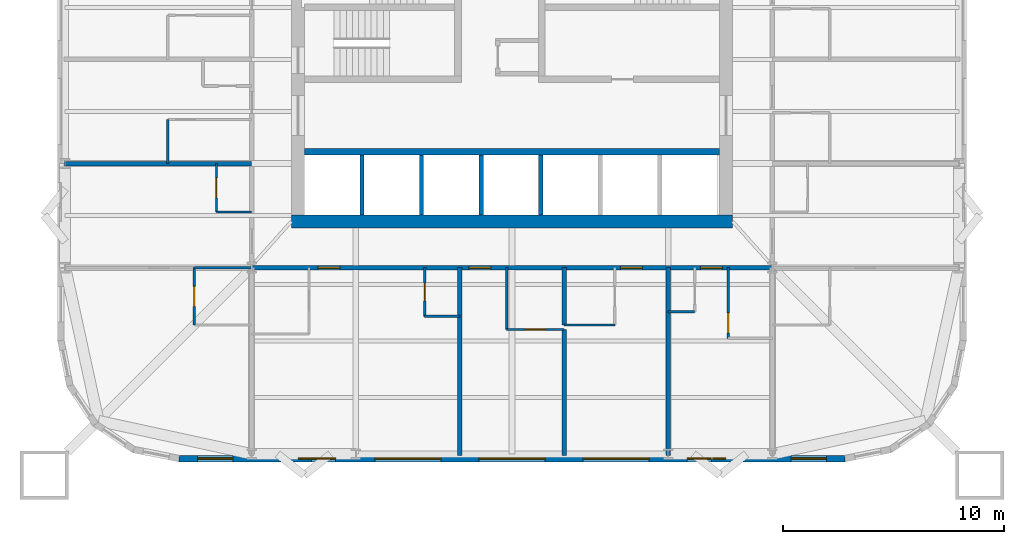
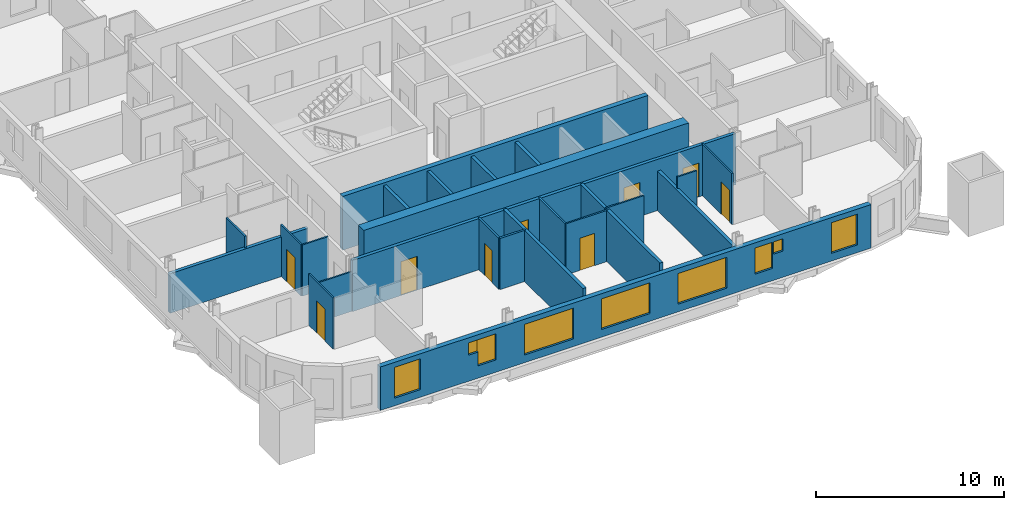
# One storey, part 3 of 10: 25 walls, 9 doors, 9 windows, 18 openings.
"""IFC4 building model written with IfcOpenShell, lengths in metres."""

from ifc_helpers import new_model, si_unit, direction, frame, frame_2d, origin, place, context, subcontext, project, spatial, rectangle, extrude, material, layer, layer_set, type_object, element, fill, save


model = new_model("IFC4")

# Units and contexts
model_context = context("Model", 3, precision=1e-05, world=origin(), true_north=direction((0.0, 1.0)))
body_context = subcontext(model_context, "Body", "Model", "MODEL_VIEW")
ifc_project = project(units=[si_unit("LENGTHUNIT", "METRE"), si_unit("AREAUNIT", "SQUARE_METRE"), si_unit("VOLUMEUNIT", "CUBIC_METRE"), si_unit("PLANEANGLEUNIT", "RADIAN"), si_unit("MASSUNIT", "GRAM", prefix="KILO")], contexts=[model_context])

# Site, building, storey
site_placement = place(None, origin())
site = spatial("IfcSite", under=ifc_project, at=site_placement, CompositionType="ELEMENT")
building_placement = place(site_placement, origin())
building = spatial("IfcBuilding", under=site, at=building_placement, Name="Turquesa Mirador Hotel Tower", CompositionType="ELEMENT")
storey_placement = place(building_placement, frame((0.0, 0.0, 138.89990234375)))
storey = spatial("IfcBuildingStorey", under=building, at=storey_placement, Name="L37", CompositionType="ELEMENT", Elevation=138.89990234375)

# Walls
ifc_material_1 = material(Name="Gypsum board on steel studs", Category="steel")
ifc_layer_1 = layer(ifc_material_1, 0.10009765625)
ifc_layer_set_1 = layer_set([ifc_layer_1], Name="BATHROOM WALL 100")
wall_type_1 = type_object("IfcWallType", Name="BATHROOM WALL 100", PredefinedType="PARTITIONING", material=ifc_layer_set_1)
wall_1_placement = place(storey_placement, frame((40.60009765625, 33.199951171875, 0.0), z_axis=(0.0, 0.0, 1.0), x_axis=(1.0, 0.0, 0.0)))
element("IfcWall", 1, at=wall_1_placement, inside=storey, type_object=wall_type_1, Name="Partition L37 003", PredefinedType="PARTITIONING", context=body_context, shape_type="SweptSolid", body=[
    extrude(rectangle(XDim=2.599853515625, YDim=0.10009765625, at=frame_2d((1.2998046875, 0.0))), origin(), (0.0, 0.0, 1.0), 2.5732421875),
])
wall_2_placement = place(storey_placement, frame((62.080078125, 31.199951171875, 0.0), z_axis=(0.0, 0.0, 1.0), x_axis=(1.0, 0.0, 0.0)))
element("IfcWall", 2, at=wall_2_placement, inside=storey, type_object=wall_type_1, Name="Partition L37 008", PredefinedType="PARTITIONING", context=body_context, shape_type="SweptSolid", body=[
    extrude(rectangle(XDim=1.199951171875, YDim=0.10009765625, at=frame_2d((0.60009765625, 0.0))), origin(), (0.0, 0.0, 1.0), 3.330078125),
])
wall_3_placement = place(storey_placement, frame((57.360107421875, 30.60009765625, 0.0), z_axis=(0.0, 0.0, 1.0), x_axis=(1.0, 0.0, 0.0)))
element("IfcWall", 3, at=wall_3_placement, inside=storey, type_object=wall_type_1, Name="Partition L37 011", PredefinedType="PARTITIONING", context=body_context, shape_type="SweptSolid", body=[
    extrude(rectangle(XDim=2.2998046875, YDim=0.10009765625, at=frame_2d((1.14990234375, 0.0))), origin(), (0.0, 0.0, 1.0), 3.330078125),
])

# Wall, opening, door
wall_4_placement = place(storey_placement, frame((54.760009765625, 30.39990234375, 0.0), z_axis=(0.0, 0.0, 1.0), x_axis=(1.0, 0.0, 0.0)))
wall_4 = element("IfcWall", 4, at=wall_4_placement, inside=storey, type_object=wall_type_1, Name="Partition L37 013", PredefinedType="PARTITIONING", context=body_context, shape_type="SweptSolid", body=[
    extrude(rectangle(XDim=2.60009765625, YDim=0.10009765625, at=frame_2d((1.300048828125, 0.0))), origin(), (0.0, 0.0, 1.0), 3.330078125),
])
opening_1_placement = place(wall_4_placement, frame((0.85009765625, 0.0, 0.0)))
opening_1 = element("IfcOpeningElement", 5, at=opening_1_placement, cuts=wall_4, Name="Opening D02", PredefinedType="OPENING", context=body_context, shape_type="SweptSolid", body=[
    extrude(rectangle(XDim=0.89990234375, YDim=2.10009765625, at=frame_2d((0.449951171875, 1.050048828125))), frame((0.0, 0.06005859375, 0.0), z_axis=(0.0, -1.0, 0.0), x_axis=(1.0, 0.0, 0.0)), (0.0, 0.0, 1.0), 0.1201171875),
])
ifc_material_2 = material(Name="Timber veneered door", Category="wood")
door_type_1 = type_object("IfcDoorType", Name="DOOR 900X2100 EN-SUITE", OperationType="SINGLE_SWING_RIGHT", PredefinedType="DOOR", material=ifc_material_2)
door_1_placement = place(opening_1_placement, origin())
door_1 = element("IfcDoor", 6, at=door_1_placement, inside=storey, type_object=door_type_1, Name="Door 3705B", OperationType="SINGLE_SWING_RIGHT", OverallHeight=2.10009765625, OverallWidth=0.89990234375, PredefinedType="DOOR", context=body_context, shape_type="SweptSolid", body=[
    extrude(rectangle(XDim=0.89990234375, YDim=2.10009765625, at=frame_2d((0.449951171875, 1.050048828125))), frame((0.0, 0.02490234375, 0.0), z_axis=(0.0, -1.0, 0.0), x_axis=(1.0, 0.0, 0.0)), (0.0, 0.0, 1.0), 0.050048828125),
])
fill(opening_1, door_1)

# Walls
wall_5_placement = place(storey_placement, frame((41.60009765625, 35.719970703125, 0.0), z_axis=(0.0, 0.0, 1.0), x_axis=(1.0, 0.0, 0.0)))
element("IfcWall", 7, at=wall_5_placement, inside=storey, type_object=wall_type_1, Name="Partition L37 023", PredefinedType="PARTITIONING", context=body_context, shape_type="SweptSolid", body=[
    extrude(rectangle(XDim=1.599853515625, YDim=0.10009765625, at=frame_2d((0.7998046875, 0.0))), origin(), (0.0, 0.0, 1.0), 3.330078125),
])
wall_6_placement = place(storey_placement, frame((54.760009765625, 30.39990234375, 0.0), z_axis=(0.0, 0.0, 1.0), x_axis=(0.0, 1.0, 0.0)))
element("IfcWall", 8, at=wall_6_placement, inside=storey, type_object=wall_type_1, Name="Partition L37 048", PredefinedType="PARTITIONING", context=body_context, shape_type="SweptSolid", body=[
    extrude(rectangle(XDim=2.800048828125, YDim=0.10009765625, at=frame_2d((1.39990234375, 0.0))), origin(), (0.0, 0.0, 1.0), 3.330078125),
])

# Wall, opening, door
wall_7_placement = place(storey_placement, frame((41.60009765625, 35.719970703125, 0.0), z_axis=(0.0, 0.0, 1.0), x_axis=(0.0, 1.0, 0.0)))
wall_7 = element("IfcWall", 9, at=wall_7_placement, inside=storey, type_object=wall_type_1, Name="Partition L37 054", PredefinedType="PARTITIONING", context=body_context, shape_type="SweptSolid", body=[
    extrude(rectangle(XDim=2.199951171875, YDim=0.10009765625, at=frame_2d((1.10009765625, 0.0))), origin(), (0.0, 0.0, 1.0), 3.330078125),
])
opening_2_placement = place(wall_7_placement, frame((0.64990234375, 0.0, 0.0)))
opening_2 = element("IfcOpeningElement", 10, at=opening_2_placement, cuts=wall_7, Name="Opening D06", PredefinedType="OPENING", context=body_context, shape_type="SweptSolid", body=[
    extrude(rectangle(XDim=0.89990234375, YDim=2.10009765625, at=frame_2d((0.449951171875, 1.050048828125))), frame((0.0, 0.06005859375, 0.0), z_axis=(0.0, -1.0, 0.0), x_axis=(1.0, 0.0, 0.0)), (0.0, 0.0, 1.0), 0.1201171875),
])
ifc_material_3 = material(Name="Laminate door", Category="wood")
door_type_2 = type_object("IfcDoorType", Name="DOOR 900X2100 WC", OperationType="SINGLE_SWING_LEFT", PredefinedType="DOOR", material=ifc_material_3)
door_2_placement = place(opening_2_placement, origin())
door_2 = element("IfcDoor", 11, at=door_2_placement, inside=storey, type_object=door_type_2, Name="Door 3716W", OperationType="SINGLE_SWING_LEFT", OverallHeight=2.10009765625, OverallWidth=0.89990234375, PredefinedType="DOOR", context=body_context, shape_type="SweptSolid", body=[
    extrude(rectangle(XDim=0.89990234375, YDim=2.10009765625, at=frame_2d((0.449951171875, 1.050048828125))), frame((0.0, 0.02490234375, 0.0), z_axis=(0.0, -1.0, 0.0), x_axis=(1.0, 0.0, 0.0)), (0.0, 0.0, 1.0), 0.050048828125),
])
fill(opening_2, door_2)

wall_8_placement = place(storey_placement, frame((40.60009765625, 30.60009765625, 0.0), z_axis=(0.0, 0.0, 1.0), x_axis=(0.0, 1.0, 0.0)))
wall_8 = element("IfcWall", 12, at=wall_8_placement, inside=storey, type_object=wall_type_1, Name="Partition L37 059", PredefinedType="PARTITIONING", context=body_context, shape_type="SweptSolid", body=[
    extrude(rectangle(XDim=2.599853515625, YDim=0.10009765625, at=frame_2d((1.2998046875, 0.0))), origin(), (0.0, 0.0, 1.0), 3.330078125),
])
opening_3_placement = place(wall_8_placement, frame((0.85009765625, 0.0, 0.0)))
opening_3 = element("IfcOpeningElement", 13, at=opening_3_placement, cuts=wall_8, Name="Opening D02", PredefinedType="OPENING", context=body_context, shape_type="SweptSolid", body=[
    extrude(rectangle(XDim=0.89990234375, YDim=2.10009765625, at=frame_2d((0.449951171875, 1.050048828125))), frame((0.0, 0.06005859375, 0.0), z_axis=(0.0, -1.0, 0.0), x_axis=(1.0, 0.0, 0.0)), (0.0, 0.0, 1.0), 0.1201171875),
])
door_3_placement = place(opening_3_placement, origin())
door_3 = element("IfcDoor", 14, at=door_3_placement, inside=storey, type_object=door_type_1, Name="Door 3716B", OperationType="SINGLE_SWING_RIGHT", OverallHeight=2.10009765625, OverallWidth=0.89990234375, PredefinedType="DOOR", context=body_context, shape_type="SweptSolid", body=[
    extrude(rectangle(XDim=0.89990234375, YDim=2.10009765625, at=frame_2d((0.449951171875, 1.050048828125))), frame((0.0, 0.02490234375, 0.0), z_axis=(0.0, -1.0, 0.0), x_axis=(1.0, 0.0, 0.0)), (0.0, 0.0, 1.0), 0.050048828125),
])
fill(opening_3, door_3)

# Wall
wall_9_placement = place(storey_placement, frame((39.39990234375, 37.919921875, 0.0), z_axis=(0.0, 0.0, 1.0), x_axis=(0.0, 1.0, 0.0)))
element("IfcWall", 15, at=wall_9_placement, inside=storey, type_object=wall_type_1, Name="Partition L37 062", PredefinedType="PARTITIONING", context=body_context, shape_type="SweptSolid", body=[
    extrude(rectangle(XDim=2.0, YDim=0.10009765625, at=frame_2d((1.0, 0.0))), origin(), (0.0, 0.0, 1.0), 3.330078125),
])

# Wall, opening, door
wall_10_placement = place(storey_placement, frame((64.800048828125, 30.0, 0.0), z_axis=(0.0, 0.0, 1.0), x_axis=(0.0, 1.0, 0.0)))
wall_10 = element("IfcWall", 16, at=wall_10_placement, inside=storey, type_object=wall_type_1, Name="Partition L37 088", PredefinedType="PARTITIONING", context=body_context, shape_type="SweptSolid", body=[
    extrude(rectangle(XDim=3.199951171875, YDim=0.10009765625, at=frame_2d((1.60009765625, 0.0))), origin(), (0.0, 0.0, 1.0), 3.330078125),
])
opening_4_placement = place(wall_10_placement, frame((0.25, 0.0, 0.0)))
opening_4 = element("IfcOpeningElement", 17, at=opening_4_placement, cuts=wall_10, Name="Opening D02", PredefinedType="OPENING", context=body_context, shape_type="SweptSolid", body=[
    extrude(rectangle(XDim=0.89990234375, YDim=2.10009765625, at=frame_2d((0.449951171875, 1.050048828125))), frame((0.0, 0.06005859375, 0.0), z_axis=(0.0, -1.0, 0.0), x_axis=(1.0, 0.0, 0.0)), (0.0, 0.0, 1.0), 0.1201171875),
])
door_4_placement = place(opening_4_placement, origin())
door_4 = element("IfcDoor", 18, at=door_4_placement, inside=storey, type_object=door_type_1, Name="Door 3707B", OperationType="SINGLE_SWING_RIGHT", OverallHeight=2.10009765625, OverallWidth=0.89990234375, PredefinedType="DOOR", context=body_context, shape_type="SweptSolid", body=[
    extrude(rectangle(XDim=0.89990234375, YDim=2.10009765625, at=frame_2d((0.449951171875, 1.050048828125))), frame((0.0, 0.02490234375, 0.0), z_axis=(0.0, -1.0, 0.0), x_axis=(1.0, 0.0, 0.0)), (0.0, 0.0, 1.0), 0.050048828125),
])
fill(opening_4, door_4)

# Walls
ifc_material_4 = material(Name="Concrete C50/60", Category="concrete")
ifc_layer_2 = layer(ifc_material_4, 0.300048828125)
ifc_layer_set_2 = layer_set([ifc_layer_2], Name="CORE INNER WALL 300")
wall_type_2 = type_object("IfcWallType", Name="CORE INNER WALL 300", PredefinedType="SHEAR", material=ifc_layer_set_2)
wall_11_placement = place(storey_placement, frame((45.60009765625, 38.449951171875, 0.0), z_axis=(0.0, 0.0, 1.0), x_axis=(1.0, 0.0, 0.0)))
element("IfcWall", 19, at=wall_11_placement, inside=storey, type_object=wall_type_2, Name="Core wall SL", PredefinedType="SHEAR", context=body_context, shape_type="SweptSolid", body=[
    extrude(rectangle(XDim=18.7998046875, YDim=0.300048828125, at=frame_2d((9.39990234375, 0.0))), origin(), (0.0, 0.0, 1.0), 3.5),
])
ifc_material_5 = material(Name="Concrete C50/60", Category="concrete")
ifc_layer_3 = layer(ifc_material_5, 0.60009765625)
ifc_layer_set_3 = layer_set([ifc_layer_3], Name="CORE WALL 600")
wall_type_3 = type_object("IfcWallType", Name="CORE WALL 600", PredefinedType="SHEAR", material=ifc_layer_set_3)
wall_12_placement = place(storey_placement, frame((45.0, 35.300048828125, 0.0), z_axis=(0.0, 0.0, 1.0), x_axis=(1.0, 0.0, 0.0)))
element("IfcWall", 20, at=wall_12_placement, inside=storey, type_object=wall_type_3, Name="Core wall S", PredefinedType="SHEAR", context=body_context, shape_type="SweptSolid", body=[
    extrude(rectangle(XDim=20.0, YDim=0.60009765625, at=frame_2d((10.0, 0.0))), origin(), (0.0, 0.0, 1.0), 3.5),
])

# Wall, openings, doors
ifc_material_6 = material(Name="Fire-rated gypsum board on steel studs", Category="steel")
ifc_layer_4 = layer(ifc_material_6, 0.199951171875)
ifc_layer_set_4 = layer_set([ifc_layer_4], Name="CORRIDOR WALL 200")
wall_type_4 = type_object("IfcWallType", Name="CORRIDOR WALL 200", PredefinedType="PARTITIONING", material=ifc_layer_set_4)
wall_13_placement = place(storey_placement, frame((43.199951171875, 33.199951171875, 0.0), z_axis=(0.0, 0.0, 1.0), x_axis=(1.0, 0.0, 0.0)))
wall_13 = element("IfcWall", 21, at=wall_13_placement, inside=storey, type_object=wall_type_4, Name="Partition L37 005", PredefinedType="PARTITIONING", context=body_context, shape_type="SweptSolid", body=[
    extrude(rectangle(XDim=23.60009765625, YDim=0.199951171875, at=frame_2d((11.800048828125, 0.0))), origin(), (0.0, 0.0, 1.0), 3.330078125),
])
opening_5_placement = place(wall_13_placement, frame((3.0, 0.0, 0.0)))
opening_5 = element("IfcOpeningElement", 22, at=opening_5_placement, cuts=wall_13, Name="Opening D01", PredefinedType="OPENING", context=body_context, shape_type="SweptSolid", body=[
    extrude(rectangle(XDim=1.0, YDim=2.199951171875, at=frame_2d((0.5, 1.10009765625))), frame((0.0, 0.10986328125, 0.0), z_axis=(0.0, -1.0, 0.0), x_axis=(1.0, 0.0, 0.0)), (0.0, 0.0, 1.0), 0.219970703125),
])
opening_6_placement = place(wall_13_placement, frame((9.840087890625, 0.0, 0.0)))
opening_6 = element("IfcOpeningElement", 23, at=opening_6_placement, cuts=wall_13, Name="Opening D01", PredefinedType="OPENING", context=body_context, shape_type="SweptSolid", body=[
    extrude(rectangle(XDim=1.0, YDim=2.199951171875, at=frame_2d((0.5, 1.10009765625))), frame((0.0, 0.10986328125, 0.0), z_axis=(0.0, -1.0, 0.0), x_axis=(1.0, 0.0, 0.0)), (0.0, 0.0, 1.0), 0.219970703125),
])
opening_7_placement = place(wall_13_placement, frame((16.7099609375, 0.0, 0.0)))
opening_7 = element("IfcOpeningElement", 24, at=opening_7_placement, cuts=wall_13, Name="Opening D01", PredefinedType="OPENING", context=body_context, shape_type="SweptSolid", body=[
    extrude(rectangle(XDim=1.0, YDim=2.199951171875, at=frame_2d((0.5, 1.10009765625))), frame((0.0, 0.10986328125, 0.0), z_axis=(0.0, -1.0, 0.0), x_axis=(1.0, 0.0, 0.0)), (0.0, 0.0, 1.0), 0.219970703125),
])
opening_8_placement = place(wall_13_placement, frame((20.340087890625, 0.0, 0.0)))
opening_8 = element("IfcOpeningElement", 25, at=opening_8_placement, cuts=wall_13, Name="Opening D01", PredefinedType="OPENING", context=body_context, shape_type="SweptSolid", body=[
    extrude(rectangle(XDim=1.0, YDim=2.199951171875, at=frame_2d((0.5, 1.10009765625))), frame((0.0, 0.10986328125, 0.0), z_axis=(0.0, -1.0, 0.0), x_axis=(1.0, 0.0, 0.0)), (0.0, 0.0, 1.0), 0.219970703125),
])
ifc_material_7 = material(Name="Timber veneered fire door", Category="wood")
door_type_3 = type_object("IfcDoorType", Name="DOOR 1000X2200 GUEST ENTRY", OperationType="SINGLE_SWING_LEFT", PredefinedType="DOOR", material=ifc_material_7)
door_5_placement = place(opening_5_placement, origin())
door_5 = element("IfcDoor", 26, at=door_5_placement, inside=storey, type_object=door_type_3, Name="Door 3704", OperationType="SINGLE_SWING_LEFT", OverallHeight=2.199951171875, OverallWidth=1.0, PredefinedType="DOOR", context=body_context, shape_type="SweptSolid", body=[
    extrude(rectangle(XDim=1.0, YDim=2.199951171875, at=frame_2d((0.5, 1.10009765625))), frame((0.0, 0.02490234375, 0.0), z_axis=(0.0, -1.0, 0.0), x_axis=(1.0, 0.0, 0.0)), (0.0, 0.0, 1.0), 0.050048828125),
])
fill(opening_5, door_5)
door_6_placement = place(opening_6_placement, origin())
door_6 = element("IfcDoor", 27, at=door_6_placement, inside=storey, type_object=door_type_3, Name="Door 3705", OperationType="SINGLE_SWING_LEFT", OverallHeight=2.199951171875, OverallWidth=1.0, PredefinedType="DOOR", context=body_context, shape_type="SweptSolid", body=[
    extrude(rectangle(XDim=1.0, YDim=2.199951171875, at=frame_2d((0.5, 1.10009765625))), frame((0.0, 0.02490234375, 0.0), z_axis=(0.0, -1.0, 0.0), x_axis=(1.0, 0.0, 0.0)), (0.0, 0.0, 1.0), 0.050048828125),
])
fill(opening_6, door_6)
door_7_placement = place(opening_7_placement, origin())
door_7 = element("IfcDoor", 28, at=door_7_placement, inside=storey, type_object=door_type_3, Name="Door 3706", OperationType="SINGLE_SWING_LEFT", OverallHeight=2.199951171875, OverallWidth=1.0, PredefinedType="DOOR", context=body_context, shape_type="SweptSolid", body=[
    extrude(rectangle(XDim=1.0, YDim=2.199951171875, at=frame_2d((0.5, 1.10009765625))), frame((0.0, 0.02490234375, 0.0), z_axis=(0.0, -1.0, 0.0), x_axis=(1.0, 0.0, 0.0)), (0.0, 0.0, 1.0), 0.050048828125),
])
fill(opening_7, door_7)
door_8_placement = place(opening_8_placement, origin())
door_8 = element("IfcDoor", 29, at=door_8_placement, inside=storey, type_object=door_type_3, Name="Door 3707", OperationType="SINGLE_SWING_LEFT", OverallHeight=2.199951171875, OverallWidth=1.0, PredefinedType="DOOR", context=body_context, shape_type="SweptSolid", body=[
    extrude(rectangle(XDim=1.0, YDim=2.199951171875, at=frame_2d((0.5, 1.10009765625))), frame((0.0, 0.02490234375, 0.0), z_axis=(0.0, -1.0, 0.0), x_axis=(1.0, 0.0, 0.0)), (0.0, 0.0, 1.0), 0.050048828125),
])
fill(opening_8, door_8)

# Wall, openings, windows
ifc_material_8 = material(Name="Limestone cladding on concrete block", Category="masonry")
ifc_layer_5 = layer(ifc_material_8, 0.300048828125)
ifc_layer_set_5 = layer_set([ifc_layer_5], Name="FACADE WALL 300 STONE SCREEN")
wall_type_5 = type_object("IfcWallType", Name="FACADE WALL 300 STONE SCREEN", PredefinedType="SOLIDWALL", material=ifc_layer_set_5)
wall_14_placement = place(storey_placement, frame((39.89990234375, 24.550048828125, 0.0), z_axis=(0.0, 0.0, 1.0), x_axis=(1.0, 0.0, 0.0)))
wall_14 = element("IfcWall", 30, at=wall_14_placement, inside=storey, type_object=wall_type_5, Name="Facade wall L37 19", PredefinedType="SOLIDWALL", context=body_context, shape_type="SweptSolid", body=[
    extrude(rectangle(XDim=30.2001953125, YDim=0.300048828125, at=frame_2d((15.10009765625, 0.0))), origin(), (0.0, 0.0, 1.0), 2.830078125),
])
opening_9_placement = place(wall_14_placement, frame((0.85009765625, 0.0, 0.5)))
opening_9 = element("IfcOpeningElement", 31, at=opening_9_placement, cuts=wall_14, Name="Opening WN3", PredefinedType="OPENING", context=body_context, shape_type="SweptSolid", body=[
    extrude(rectangle(XDim=1.60009765625, YDim=2.0, at=frame_2d((0.800048828125, 1.0))), frame((0.0, 0.159912109375, 0.0), z_axis=(0.0, -1.0, 0.0), x_axis=(1.0, 0.0, 0.0)), (0.0, 0.0, 1.0), 0.320068359375),
])
opening_10_placement = place(wall_14_placement, frame((6.010009765625, 0.0, 0.800048828125)))
opening_10 = element("IfcOpeningElement", 32, at=opening_10_placement, cuts=wall_14, Name="Opening WN26", PredefinedType="OPENING", context=body_context, shape_type="SweptSolid", body=[
    extrude(rectangle(XDim=1.10009765625, YDim=1.699951171875, at=frame_2d((0.550048828125, 0.85009765625))), frame((0.0, 0.159912109375, 0.0), z_axis=(0.0, -1.0, 0.0), x_axis=(1.0, 0.0, 0.0)), (0.0, 0.0, 1.0), 0.320068359375),
])
opening_11_placement = place(wall_14_placement, frame((8.8798828125, 0.0, 0.5)))
opening_11 = element("IfcOpeningElement", 33, at=opening_11_placement, cuts=wall_14, Name="Opening WN1", PredefinedType="OPENING", context=body_context, shape_type="SweptSolid", body=[
    extrude(rectangle(XDim=3.0, YDim=2.0, at=frame_2d((1.5, 1.0))), frame((0.0, 0.159912109375, 0.0), z_axis=(0.0, -1.0, 0.0), x_axis=(1.0, 0.0, 0.0)), (0.0, 0.0, 1.0), 0.320068359375),
])
opening_12_placement = place(wall_14_placement, frame((13.60009765625, 0.0, 0.5)))
opening_12 = element("IfcOpeningElement", 34, at=opening_12_placement, cuts=wall_14, Name="Opening WN1", PredefinedType="OPENING", context=body_context, shape_type="SweptSolid", body=[
    extrude(rectangle(XDim=3.0, YDim=2.0, at=frame_2d((1.5, 1.0))), frame((0.0, 0.159912109375, 0.0), z_axis=(0.0, -1.0, 0.0), x_axis=(1.0, 0.0, 0.0)), (0.0, 0.0, 1.0), 0.320068359375),
])
opening_13_placement = place(wall_14_placement, frame((18.320068359375, 0.0, 0.5)))
opening_13 = element("IfcOpeningElement", 35, at=opening_13_placement, cuts=wall_14, Name="Opening WN1", PredefinedType="OPENING", context=body_context, shape_type="SweptSolid", body=[
    extrude(rectangle(XDim=3.0, YDim=2.0, at=frame_2d((1.5, 1.0))), frame((0.0, 0.159912109375, 0.0), z_axis=(0.0, -1.0, 0.0), x_axis=(1.0, 0.0, 0.0)), (0.0, 0.0, 1.0), 0.320068359375),
])
opening_14_placement = place(wall_14_placement, frame((23.0400390625, 0.0, 0.800048828125)))
opening_14 = element("IfcOpeningElement", 36, at=opening_14_placement, cuts=wall_14, Name="Opening WN26", PredefinedType="OPENING", context=body_context, shape_type="SweptSolid", body=[
    extrude(rectangle(XDim=1.10009765625, YDim=1.699951171875, at=frame_2d((0.550048828125, 0.85009765625))), frame((0.0, 0.159912109375, 0.0), z_axis=(0.0, -1.0, 0.0), x_axis=(1.0, 0.0, 0.0)), (0.0, 0.0, 1.0), 0.320068359375),
])
opening_15_placement = place(wall_14_placement, frame((27.75, 0.0, 0.5)))
opening_15 = element("IfcOpeningElement", 37, at=opening_15_placement, cuts=wall_14, Name="Opening WN3", PredefinedType="OPENING", context=body_context, shape_type="SweptSolid", body=[
    extrude(rectangle(XDim=1.60009765625, YDim=2.0, at=frame_2d((0.800048828125, 1.0))), frame((0.0, 0.159912109375, 0.0), z_axis=(0.0, -1.0, 0.0), x_axis=(1.0, 0.0, 0.0)), (0.0, 0.0, 1.0), 0.320068359375),
])
opening_16_placement = place(wall_14_placement, frame((5.409912109375, 0.0, 1.699951171875)))
opening_16 = element("IfcOpeningElement", 38, at=opening_16_placement, cuts=wall_14, Name="Opening WN28", PredefinedType="OPENING", context=body_context, shape_type="SweptSolid", body=[
    extrude(rectangle(XDim=0.60009765625, YDim=0.800048828125, at=frame_2d((0.300048828125, 0.39990234375))), frame((0.0, 0.159912109375, 0.0), z_axis=(0.0, -1.0, 0.0), x_axis=(1.0, 0.0, 0.0)), (0.0, 0.0, 1.0), 0.320068359375),
])
opening_17_placement = place(wall_14_placement, frame((24.18994140625, 0.0, 1.699951171875)))
opening_17 = element("IfcOpeningElement", 39, at=opening_17_placement, cuts=wall_14, Name="Opening WN28", PredefinedType="OPENING", context=body_context, shape_type="SweptSolid", body=[
    extrude(rectangle(XDim=0.60009765625, YDim=0.800048828125, at=frame_2d((0.300048828125, 0.39990234375))), frame((0.0, 0.159912109375, 0.0), z_axis=(0.0, -1.0, 0.0), x_axis=(1.0, 0.0, 0.0)), (0.0, 0.0, 1.0), 0.320068359375),
])
ifc_material_9 = material(Name="Ceramic-fritted laminated glass", Category="glass")
window_type_1 = type_object("IfcWindowType", Name="FRITTED WINDOW 1100X1700", PartitioningType="DOUBLE_PANEL_HORIZONTAL", PredefinedType="WINDOW", material=ifc_material_9)
window_1_placement = place(opening_10_placement, origin())
window_1 = element("IfcWindow", 40, at=window_1_placement, inside=storey, type_object=window_type_1, Name="Window L37", OverallHeight=1.699951171875, OverallWidth=1.10009765625, PartitioningType="SINGLE_PANEL", PredefinedType="WINDOW", context=body_context, shape_type="SweptSolid", body=[
    extrude(rectangle(XDim=1.10009765625, YDim=1.699951171875, at=frame_2d((0.550048828125, 0.85009765625))), frame((0.0, 0.030029296875, 0.0), z_axis=(0.0, -1.0, 0.0), x_axis=(1.0, 0.0, 0.0)), (0.0, 0.0, 1.0), 0.06005859375),
])
fill(opening_10, window_1)
window_2_placement = place(opening_14_placement, origin())
window_2 = element("IfcWindow", 41, at=window_2_placement, inside=storey, type_object=window_type_1, Name="Window L37", OverallHeight=1.699951171875, OverallWidth=1.10009765625, PartitioningType="SINGLE_PANEL", PredefinedType="WINDOW", context=body_context, shape_type="SweptSolid", body=[
    extrude(rectangle(XDim=1.10009765625, YDim=1.699951171875, at=frame_2d((0.550048828125, 0.85009765625))), frame((0.0, 0.030029296875, 0.0), z_axis=(0.0, -1.0, 0.0), x_axis=(1.0, 0.0, 0.0)), (0.0, 0.0, 1.0), 0.06005859375),
])
fill(opening_14, window_2)
ifc_material_10 = material(Name="Ceramic-fritted laminated glass", Category="glass")
window_type_2 = type_object("IfcWindowType", Name="FRITTED WINDOW 1600X2000", PartitioningType="DOUBLE_PANEL_HORIZONTAL", PredefinedType="WINDOW", material=ifc_material_10)
window_3_placement = place(opening_9_placement, origin())
window_3 = element("IfcWindow", 42, at=window_3_placement, inside=storey, type_object=window_type_2, Name="Window L37", OverallHeight=2.0, OverallWidth=1.60009765625, PartitioningType="SINGLE_PANEL", PredefinedType="WINDOW", context=body_context, shape_type="SweptSolid", body=[
    extrude(rectangle(XDim=1.60009765625, YDim=2.0, at=frame_2d((0.800048828125, 1.0))), frame((0.0, 0.030029296875, 0.0), z_axis=(0.0, -1.0, 0.0), x_axis=(1.0, 0.0, 0.0)), (0.0, 0.0, 1.0), 0.06005859375),
])
fill(opening_9, window_3)
window_4_placement = place(opening_15_placement, origin())
window_4 = element("IfcWindow", 43, at=window_4_placement, inside=storey, type_object=window_type_2, Name="Window L37", OverallHeight=2.0, OverallWidth=1.60009765625, PartitioningType="SINGLE_PANEL", PredefinedType="WINDOW", context=body_context, shape_type="SweptSolid", body=[
    extrude(rectangle(XDim=1.60009765625, YDim=2.0, at=frame_2d((0.800048828125, 1.0))), frame((0.0, 0.030029296875, 0.0), z_axis=(0.0, -1.0, 0.0), x_axis=(1.0, 0.0, 0.0)), (0.0, 0.0, 1.0), 0.06005859375),
])
fill(opening_15, window_4)
ifc_material_11 = material(Name="Ceramic-fritted laminated glass", Category="glass")
window_type_3 = type_object("IfcWindowType", Name="FRITTED WINDOW 3000X2000", PartitioningType="DOUBLE_PANEL_HORIZONTAL", PredefinedType="WINDOW", material=ifc_material_11)
window_5_placement = place(opening_11_placement, origin())
window_5 = element("IfcWindow", 44, at=window_5_placement, inside=storey, type_object=window_type_3, Name="Window L37", OverallHeight=2.0, OverallWidth=3.0, PartitioningType="SINGLE_PANEL", PredefinedType="WINDOW", context=body_context, shape_type="SweptSolid", body=[
    extrude(rectangle(XDim=3.0, YDim=2.0, at=frame_2d((1.5, 1.0))), frame((0.0, 0.030029296875, 0.0), z_axis=(0.0, -1.0, 0.0), x_axis=(1.0, 0.0, 0.0)), (0.0, 0.0, 1.0), 0.06005859375),
])
fill(opening_11, window_5)
window_6_placement = place(opening_12_placement, origin())
window_6 = element("IfcWindow", 45, at=window_6_placement, inside=storey, type_object=window_type_3, Name="Window L37", OverallHeight=2.0, OverallWidth=3.0, PartitioningType="SINGLE_PANEL", PredefinedType="WINDOW", context=body_context, shape_type="SweptSolid", body=[
    extrude(rectangle(XDim=3.0, YDim=2.0, at=frame_2d((1.5, 1.0))), frame((0.0, 0.030029296875, 0.0), z_axis=(0.0, -1.0, 0.0), x_axis=(1.0, 0.0, 0.0)), (0.0, 0.0, 1.0), 0.06005859375),
])
fill(opening_12, window_6)
window_7_placement = place(opening_13_placement, origin())
window_7 = element("IfcWindow", 46, at=window_7_placement, inside=storey, type_object=window_type_3, Name="Window L37", OverallHeight=2.0, OverallWidth=3.0, PartitioningType="SINGLE_PANEL", PredefinedType="WINDOW", context=body_context, shape_type="SweptSolid", body=[
    extrude(rectangle(XDim=3.0, YDim=2.0, at=frame_2d((1.5, 1.0))), frame((0.0, 0.030029296875, 0.0), z_axis=(0.0, -1.0, 0.0), x_axis=(1.0, 0.0, 0.0)), (0.0, 0.0, 1.0), 0.06005859375),
])
fill(opening_13, window_7)
ifc_material_12 = material(Name="Ceramic-fritted laminated glass", Category="glass")
window_type_4 = type_object("IfcWindowType", Name="FRITTED WINDOW 600X800", PartitioningType="DOUBLE_PANEL_HORIZONTAL", PredefinedType="WINDOW", material=ifc_material_12)
window_8_placement = place(opening_16_placement, origin())
window_8 = element("IfcWindow", 47, at=window_8_placement, inside=storey, type_object=window_type_4, Name="Window L37", OverallHeight=0.800048828125, OverallWidth=0.60009765625, PartitioningType="SINGLE_PANEL", PredefinedType="WINDOW", context=body_context, shape_type="SweptSolid", body=[
    extrude(rectangle(XDim=0.60009765625, YDim=0.800048828125, at=frame_2d((0.300048828125, 0.39990234375))), frame((0.0, 0.030029296875, 0.0), z_axis=(0.0, -1.0, 0.0), x_axis=(1.0, 0.0, 0.0)), (0.0, 0.0, 1.0), 0.06005859375),
])
fill(opening_16, window_8)
window_9_placement = place(opening_17_placement, origin())
window_9 = element("IfcWindow", 48, at=window_9_placement, inside=storey, type_object=window_type_4, Name="Window L37", OverallHeight=0.800048828125, OverallWidth=0.60009765625, PartitioningType="SINGLE_PANEL", PredefinedType="WINDOW", context=body_context, shape_type="SweptSolid", body=[
    extrude(rectangle(XDim=0.60009765625, YDim=0.800048828125, at=frame_2d((0.300048828125, 0.39990234375))), frame((0.0, 0.030029296875, 0.0), z_axis=(0.0, -1.0, 0.0), x_axis=(1.0, 0.0, 0.0)), (0.0, 0.0, 1.0), 0.06005859375),
])
fill(opening_17, window_9)

# Walls
ifc_material_13 = material(Name="Fire-rated gypsum shaft wall on steel studs", Category="steel")
ifc_layer_6 = layer(ifc_material_13, 0.199951171875)
ifc_layer_set_6 = layer_set([ifc_layer_6], Name="LIFT SHAFT DIVIDER 200")
wall_type_6 = type_object("IfcWallType", Name="LIFT SHAFT DIVIDER 200", PredefinedType="PARTITIONING", material=ifc_layer_set_6)
for number, where, z_axis, x_axis, name in (
    (49, (48.199951171875, 35.60009765625, 0.0), (0.0, 0.0, 1.0), (0.0, 1.0, 0.0), "Lift shaft divider"),
    (50, (50.89990234375, 35.60009765625, 0.0), (0.0, 0.0, 1.0), (0.0, 1.0, 0.0), "Lift shaft divider"),
    (51, (53.60009765625, 35.60009765625, 0.0), (0.0, 0.0, 1.0), (0.0, 1.0, 0.0), "Lift shaft divider"),
    (52, (56.300048828125, 35.60009765625, 0.0), (0.0, 0.0, 1.0), (0.0, 1.0, 0.0), "Lift shaft divider"),
):
    element("IfcWall", number, at=place(storey_placement, frame(where, z_axis=z_axis, x_axis=x_axis)), inside=storey, type_object=wall_type_6, Name=name, PredefinedType="PARTITIONING", context=body_context, shape_type="SweptSolid", body=[
        extrude(rectangle(XDim=2.699951171875, YDim=0.199951171875, at=frame_2d((1.35009765625, 0.0))), origin(), (0.0, 0.0, 1.0), 3.330078125),
    ])
ifc_material_14 = material(Name="Fire-rated gypsum board on steel studs", Category="steel")
ifc_layer_7 = layer(ifc_material_14, 0.199951171875)
ifc_layer_set_7 = layer_set([ifc_layer_7], Name="PARTY WALL 200")
wall_type_7 = type_object("IfcWallType", Name="PARTY WALL 200", PredefinedType="PARTITIONING", material=ifc_layer_set_7)
wall_15_placement = place(storey_placement, frame((34.699951171875, 37.919921875, 0.0), z_axis=(0.0, 0.0, 1.0), x_axis=(1.0, 0.0, 0.0)))
element("IfcWall", 53, at=wall_15_placement, inside=storey, type_object=wall_type_7, Name="Partition L37 021", PredefinedType="PARTITIONING", context=body_context, shape_type="SweptSolid", body=[
    extrude(rectangle(XDim=8.5, YDim=0.199951171875, at=frame_2d((4.25, 0.0))), origin(), (0.0, 0.0, 1.0), 2.5732421875),
])
wall_16_placement = place(storey_placement, frame((52.639892578125, 24.699951171875, 0.0), z_axis=(0.0, 0.0, 1.0), x_axis=(0.0, 1.0, 0.0)))
element("IfcWall", 54, at=wall_16_placement, inside=storey, type_object=wall_type_7, Name="Partition L37 064", PredefinedType="PARTITIONING", context=body_context, shape_type="SweptSolid", body=[
    extrude(rectangle(XDim=8.5, YDim=0.199951171875, at=frame_2d((4.25, 0.0))), origin(), (0.0, 0.0, 1.0), 3.330078125),
])
wall_17_placement = place(storey_placement, frame((57.360107421875, 24.699951171875, 0.0), z_axis=(0.0, 0.0, 1.0), x_axis=(0.0, 1.0, 0.0)))
element("IfcWall", 55, at=wall_17_placement, inside=storey, type_object=wall_type_7, Name="Partition L37 079", PredefinedType="PARTITIONING", context=body_context, shape_type="SweptSolid", body=[
    extrude(rectangle(XDim=5.699951171875, YDim=0.199951171875, at=frame_2d((2.85009765625, 0.0))), origin(), (0.0, 0.0, 1.0), 3.330078125),
])
wall_18_placement = place(storey_placement, frame((57.360107421875, 30.60009765625, 0.0), z_axis=(0.0, 0.0, 1.0), x_axis=(0.0, 1.0, 0.0)))
element("IfcWall", 56, at=wall_18_placement, inside=storey, type_object=wall_type_7, Name="Partition L37 080", PredefinedType="PARTITIONING", context=body_context, shape_type="SweptSolid", body=[
    extrude(rectangle(XDim=2.599853515625, YDim=0.199951171875, at=frame_2d((1.2998046875, 0.0))), origin(), (0.0, 0.0, 1.0), 3.330078125),
])
wall_19_placement = place(storey_placement, frame((62.080078125, 24.699951171875, 0.0), z_axis=(0.0, 0.0, 1.0), x_axis=(0.0, 1.0, 0.0)))
element("IfcWall", 57, at=wall_19_placement, inside=storey, type_object=wall_type_7, Name="Partition L37 084", PredefinedType="PARTITIONING", context=body_context, shape_type="SweptSolid", body=[
    extrude(rectangle(XDim=8.5, YDim=0.199951171875, at=frame_2d((4.25, 0.0))), origin(), (0.0, 0.0, 1.0), 2.5732421875),
])
ifc_material_15 = material(Name="Acoustic gypsum board on steel studs", Category="steel")
ifc_layer_8 = layer(ifc_material_15, 0.125)
ifc_layer_set_8 = layer_set([ifc_layer_8], Name="SUITE PARTITION 125")
wall_type_8 = type_object("IfcWallType", Name="SUITE PARTITION 125", PredefinedType="PARTITIONING", material=ifc_layer_set_8)
wall_20_placement = place(storey_placement, frame((51.0400390625, 31.0, 0.0), z_axis=(0.0, 0.0, 1.0), x_axis=(1.0, 0.0, 0.0)))
element("IfcWall", 58, at=wall_20_placement, inside=storey, type_object=wall_type_8, Name="Partition L37 009", PredefinedType="PARTITIONING", context=body_context, shape_type="SweptSolid", body=[
    extrude(rectangle(XDim=1.599853515625, YDim=0.125, at=frame_2d((0.7998046875, 0.0))), origin(), (0.0, 0.0, 1.0), 3.330078125),
])

# Wall, opening, door
wall_21_placement = place(storey_placement, frame((51.0400390625, 31.0, 0.0), z_axis=(0.0, 0.0, 1.0), x_axis=(0.0, 1.0, 0.0)))
wall_21 = element("IfcWall", 59, at=wall_21_placement, inside=storey, type_object=wall_type_8, Name="Partition L37 066", PredefinedType="PARTITIONING", context=body_context, shape_type="SweptSolid", body=[
    extrude(rectangle(XDim=2.199951171875, YDim=0.125, at=frame_2d((1.10009765625, 0.0))), origin(), (0.0, 0.0, 1.0), 3.330078125),
])
opening_18_placement = place(wall_21_placement, frame((0.699951171875, 0.0, 0.0)))
opening_18 = element("IfcOpeningElement", 60, at=opening_18_placement, cuts=wall_21, Name="Opening D20", PredefinedType="OPENING", context=body_context, shape_type="SweptSolid", body=[
    extrude(rectangle(XDim=0.800048828125, YDim=2.10009765625, at=frame_2d((0.39990234375, 1.050048828125))), frame((0.0, 0.072509765625, 0.0), z_axis=(0.0, -1.0, 0.0), x_axis=(1.0, 0.0, 0.0)), (0.0, 0.0, 1.0), 0.14501953125),
])
ifc_material_16 = material(Name="Timber veneered sliding door", Category="wood")
door_type_4 = type_object("IfcDoorType", Name="DOOR 800X2100 WARDROBE", OperationType="SLIDING_TO_LEFT", PredefinedType="DOOR", material=ifc_material_16)
door_9_placement = place(opening_18_placement, origin())
door_9 = element("IfcDoor", 61, at=door_9_placement, inside=storey, type_object=door_type_4, Name="Door 3704W", OperationType="SLIDING_TO_LEFT", OverallHeight=2.10009765625, OverallWidth=0.800048828125, PredefinedType="DOOR", context=body_context, shape_type="SweptSolid", body=[
    extrude(rectangle(XDim=0.800048828125, YDim=2.10009765625, at=frame_2d((0.39990234375, 1.050048828125))), frame((0.0, 0.02490234375, 0.0), z_axis=(0.0, -1.0, 0.0), x_axis=(1.0, 0.0, 0.0)), (0.0, 0.0, 1.0), 0.050048828125),
])
fill(opening_18, door_9)

save(model, "model.ifc")
